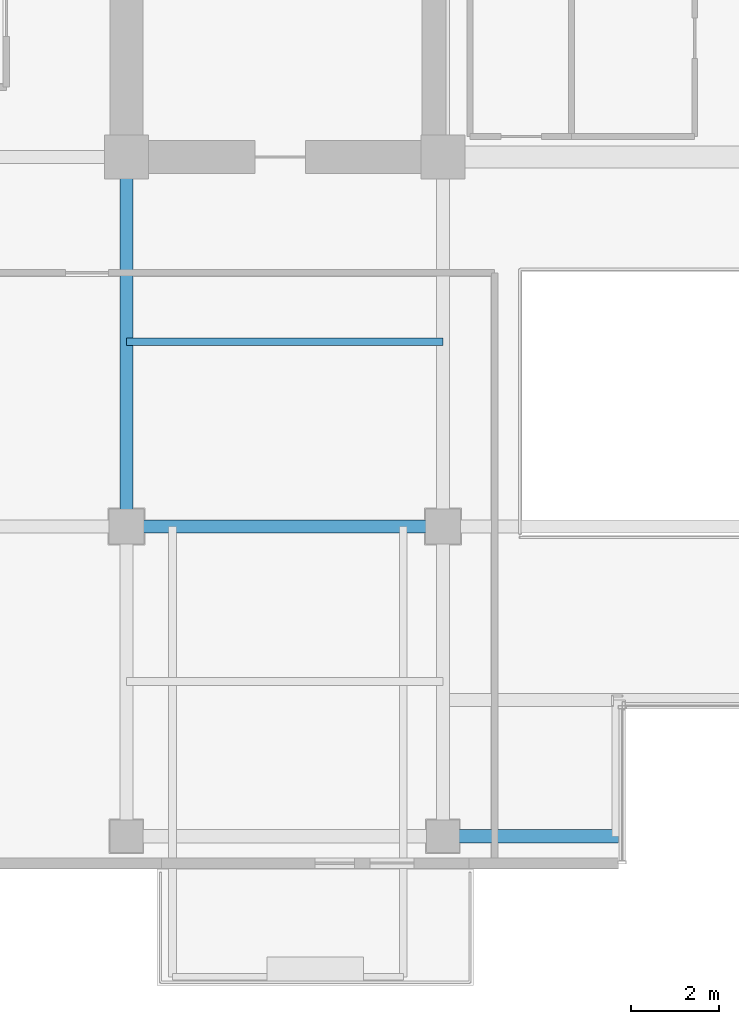
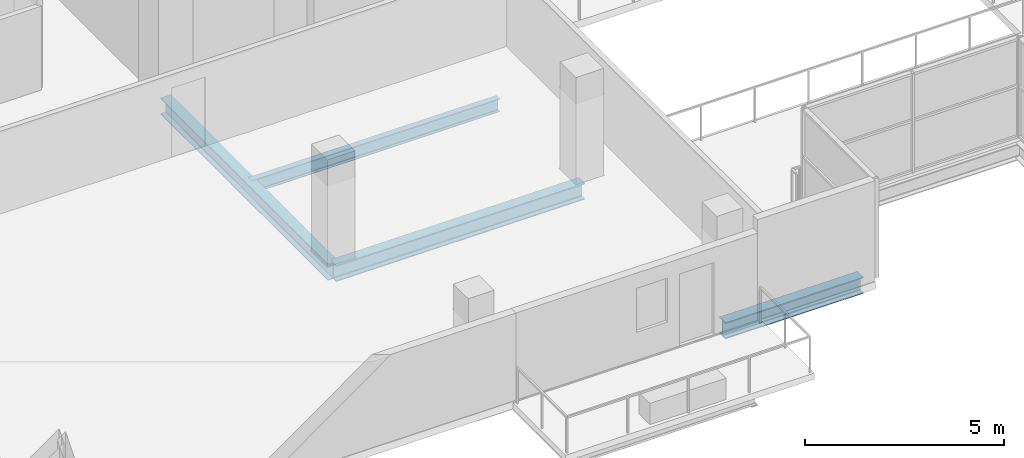
# One storey, part 5 of 25: 4 beams.
"""IFC4 building model written with IfcOpenShell, lengths in metres."""

from ifc_helpers import new_model, si_unit, direction, frame, origin, origin_2d, place, context, subcontext, project, spatial, i_section, extrude, material, material_profile, profile_set, type_object, element, save


model = new_model("IFC4")

# Units and contexts
model_context = context("Model", 3, precision=1e-05, world=origin(), true_north=direction((0.0, 1.0)))
body_context = subcontext(model_context, "Body", "Model", "MODEL_VIEW")
ifc_project = project(units=[si_unit("LENGTHUNIT", "METRE"), si_unit("AREAUNIT", "SQUARE_METRE"), si_unit("VOLUMEUNIT", "CUBIC_METRE"), si_unit("PLANEANGLEUNIT", "RADIAN"), si_unit("MASSUNIT", "GRAM", prefix="KILO")], contexts=[model_context])

# Site, building, storey
site_placement = place(None, origin())
site = spatial("IfcSite", under=ifc_project, at=site_placement, CompositionType="ELEMENT")
building_placement = place(site_placement, origin())
building = spatial("IfcBuilding", under=site, at=building_placement, Name="Zarnakvel Exchange Tower", CompositionType="ELEMENT")
storey_placement = place(building_placement, frame((0.0, 0.0, 156.10009765625)))
storey = spatial("IfcBuildingStorey", under=building, at=storey_placement, Name="L43", CompositionType="ELEMENT", Elevation=156.10009765625)

# Beams
ifc_material = material(Name="Steel S355", Category="steel")
ifc_material_profile_1 = material_profile(ifc_material, i_section(OverallWidth=0.179931640625, OverallDepth=0.39990234375, WebThickness=0.008544921875, FlangeThickness=0.013427734375, FilletRadius=0.02099609375, at=origin_2d()))
ifc_profile_set_1 = profile_set([ifc_material_profile_1], Name="Steel S355")
beam_type_1 = type_object("IfcBeamType", Name="B-06", PredefinedType="JOIST", material=ifc_profile_set_1)
beam_1_placement = place(storey_placement, frame((-14.39990234375, -5.39990234375, -0.425048828125), z_axis=(1.0, 0.0, 0.0), x_axis=(0.0, 1.0, 0.0)))
element("IfcBeam", 1, at=beam_1_placement, inside=storey, type_object=beam_type_1, Name="L43 Composite Floor Secondary Joist", PredefinedType="JOIST", context=body_context, shape_type="SweptSolid", body=[
    extrude(i_section(OverallWidth=0.179931640625, OverallDepth=0.39990234375, WebThickness=0.008544921875, FlangeThickness=0.013427734375, FilletRadius=0.02099609375, at=origin_2d()), origin(), (0.0, 0.0, 1.0), 7.199951171875),
])
ifc_material_profile_2 = material_profile(ifc_material, i_section(OverallWidth=0.300048828125, OverallDepth=0.5, WebThickness=0.014404296875, FlangeThickness=0.028076171875, FilletRadius=0.027099609375, at=origin_2d()))
ifc_profile_set_2 = profile_set([ifc_material_profile_2], Name="Steel S355")
beam_type_2 = type_object("IfcBeamType", Name="G-06", PredefinedType="BEAM", material=ifc_profile_set_2)
beam_2_placement = place(storey_placement, frame((-14.39990234375, -9.60009765625, -0.47509765625), z_axis=(1.0, 0.0, 0.0), x_axis=(0.0, 1.0, 0.0)))
element("IfcBeam", 2, at=beam_2_placement, inside=storey, type_object=beam_type_2, Name="L43 Tower E-W Frame Beam", PredefinedType="BEAM", context=body_context, shape_type="SweptSolid", body=[
    extrude(i_section(OverallWidth=0.300048828125, OverallDepth=0.5, WebThickness=0.014404296875, FlangeThickness=0.028076171875, FilletRadius=0.027099609375, at=origin_2d()), origin(), (0.0, 0.0, 1.0), 7.199951171875),
])
beam_3_placement = place(storey_placement, frame((-14.39990234375, -9.60009765625, -0.47509765625), z_axis=(0.0, 1.0, 0.0), x_axis=(-1.0, 0.0, 0.0)))
element("IfcBeam", 3, at=beam_3_placement, inside=storey, type_object=beam_type_2, Name="L43 Tower N-S Frame Beam", PredefinedType="BEAM", context=body_context, shape_type="SweptSolid", body=[
    extrude(i_section(OverallWidth=0.300048828125, OverallDepth=0.5, WebThickness=0.014404296875, FlangeThickness=0.028076171875, FilletRadius=0.027099609375, at=origin_2d()), origin(), (0.0, 0.0, 1.0), 8.400146484375),
])
ifc_material_profile_3 = material_profile(ifc_material, i_section(OverallWidth=0.300048828125, OverallDepth=0.5, WebThickness=0.014404296875, FlangeThickness=0.028076171875, FilletRadius=0.027099609375, at=origin_2d()))
ifc_profile_set_3 = profile_set([ifc_material_profile_3], Name="Steel S355")
beam_type_3 = type_object("IfcBeamType", Name="SP-02", PredefinedType="SPANDREL", material=ifc_profile_set_3)
beam_4_placement = place(storey_placement, frame((-7.199951171875, -16.64990234375, -0.47509765625), z_axis=(1.0, 0.0, 0.0), x_axis=(0.0, 1.0, 0.0)))
element("IfcBeam", 4, at=beam_4_placement, inside=storey, type_object=beam_type_3, Name="L43 South Slot West Jamb Spandrel", PredefinedType="SPANDREL", context=body_context, shape_type="SweptSolid", body=[
    extrude(i_section(OverallWidth=0.300048828125, OverallDepth=0.5, WebThickness=0.014404296875, FlangeThickness=0.028076171875, FilletRadius=0.027099609375, at=origin_2d()), origin(), (0.0, 0.0, 1.0), 4.0),
])

save(model, "model.ifc")
